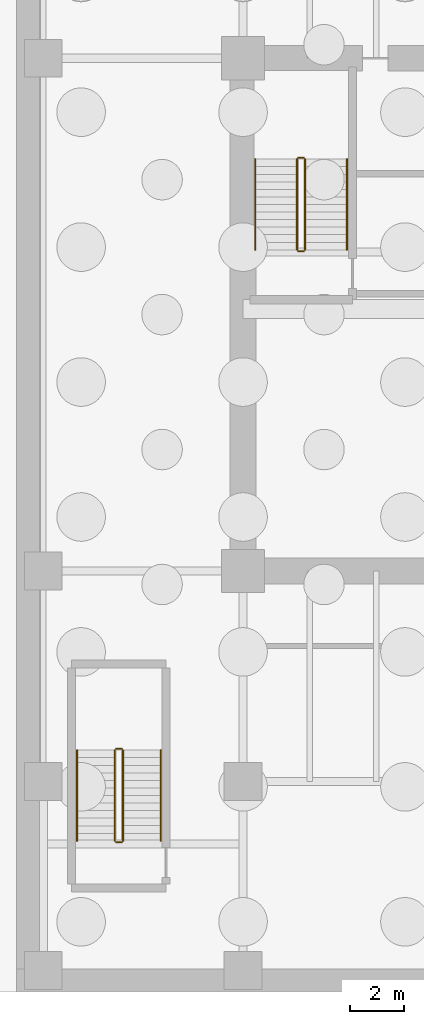
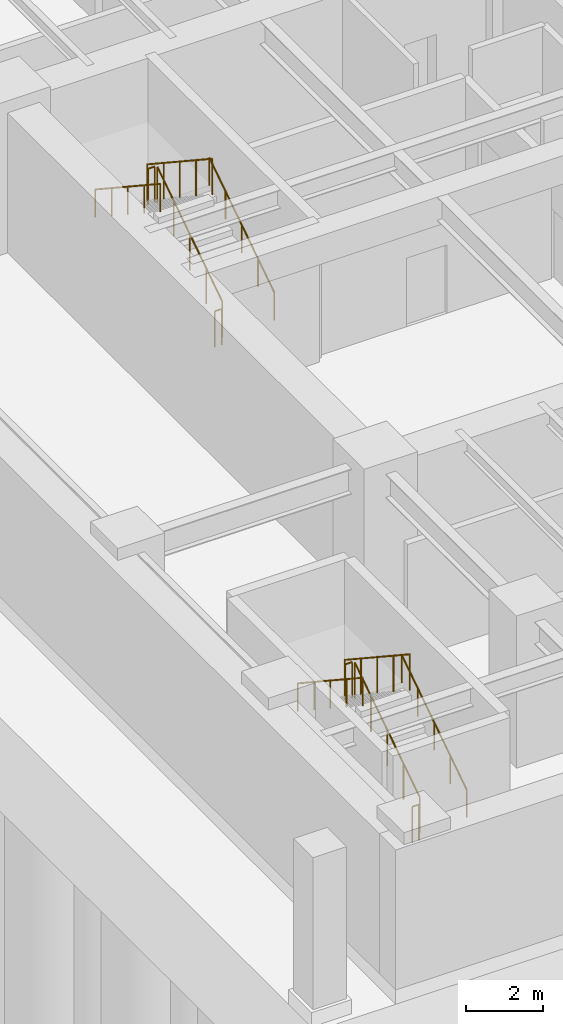
# One storey, part 6 of 8: 12 railings.
"""IFC4 building model written with IfcOpenShell, lengths in metres."""

from ifc_helpers import new_model, si_unit, direction, frame, origin, origin_2d, place, context, subcontext, project, spatial, circle, extrude, source, transform, mapped, material, type_object, type_shapes, element, save


model = new_model("IFC4")

# Units and contexts
model_context = context("Model", 3, precision=1e-05, world=origin(), true_north=direction((0.0, 1.0)))
body_context = subcontext(model_context, "Body", "Model", "MODEL_VIEW")
ifc_project = project(units=[si_unit("LENGTHUNIT", "METRE"), si_unit("AREAUNIT", "SQUARE_METRE"), si_unit("VOLUMEUNIT", "CUBIC_METRE"), si_unit("PLANEANGLEUNIT", "RADIAN"), si_unit("MASSUNIT", "GRAM", prefix="KILO")], contexts=[model_context])

# Site, building, storey
site_placement = place(None, origin())
site = spatial("IfcSite", under=ifc_project, at=site_placement, CompositionType="ELEMENT")
building_placement = place(site_placement, origin())
building = spatial("IfcBuilding", under=site, at=building_placement, Name="Haelvirn Gate Laboratories", CompositionType="ELEMENT")
storey_placement = place(building_placement, frame((0.0, 0.0, -14.39990234375)))
storey = spatial("IfcBuildingStorey", under=building, at=storey_placement, Name="B3", CompositionType="ELEMENT", Elevation=-14.39990234375)

# Railings
ifc_material_1 = material(Name="Galvanised steel SM355 & stainless top rail", Category="steel")
railing_type_1 = type_object("IfcRailingType", Name="RL-GUARD-1150", PredefinedType="GUARDRAIL", material=ifc_material_1)
shared_shape_1 = source(origin(), body_context, "Body", "SweptSolid", [
    extrude(circle(Radius=0.02392578125, at=origin_2d()), frame((0.0, 0.0, 1.1259765625), z_axis=(0.0, 0.834876476806, 0.550437342915), x_axis=(-1.0, 0.0, 0.0)), (0.0, 0.0, 1.0), 4.024658203125),
    extrude(circle(Radius=0.02099609375, at=origin_2d()), origin(), (0.0, 0.0, 1.0), 1.101806640625),
    extrude(circle(Radius=0.02099609375, at=origin_2d()), frame((0.0, 0.840087890625, 0.5537109375)), (0.0, 0.0, 1.0), 1.101806640625),
    extrude(circle(Radius=0.02099609375, at=origin_2d()), frame((0.0, 1.68017578125, 1.107666015625)), (0.0, 0.0, 1.0), 1.101806640625),
    extrude(circle(Radius=0.02099609375, at=origin_2d()), frame((0.0, 2.52001953125, 1.66162109375)), (0.0, 0.0, 1.0), 1.101806640625),
    extrude(circle(Radius=0.02099609375, at=origin_2d()), frame((0.0, 3.360107421875, 2.21533203125)), (0.0, 0.0, 1.0), 1.101806640625),
])
railing_1_placement = place(storey_placement, frame((9.699951171875, 26.699951171875, 0.1845703125)))
element("IfcRailing", 1, at=railing_1_placement, inside=storey, type_object=railing_type_1, Name="B3 ST1 stair guard 1", PredefinedType="GUARDRAIL", context=body_context, shape_type="MappedRepresentation", body=[
    mapped(shared_shape_1, transform((0.0, 0.0, 0.0), scale=1.0)),
])
shared_shape_2 = source(origin(), body_context, "Body", "SweptSolid", [
    extrude(circle(Radius=0.02392578125, at=origin_2d()), frame((0.0, 0.0, 1.1259765625), z_axis=(-1.0, 0.0, 0.0), x_axis=(0.0, -1.0, 0.0)), (0.0, 0.0, 1.0), 0.199951171875),
    extrude(circle(Radius=0.02099609375, at=origin_2d()), origin(), (0.0, 0.0, 1.0), 1.101806640625),
    extrude(circle(Radius=0.02099609375, at=origin_2d()), frame((-0.199951171875, 0.0, 0.0)), (0.0, 0.0, 1.0), 1.101806640625),
])
for number, where, name in (
    (2, (9.64990234375, 30.110107421875, 2.39990234375), "B3 ST1 stair guard 2"),
    (3, (9.64990234375, 26.64990234375, 0.0), "B3 ST1 stair guard 4"),
    (4, (2.89990234375, 8.2099609375, 2.39990234375), "B3 ST3 stair guard 2"),
    (5, (2.89990234375, 4.75, 0.0), "B3 ST3 stair guard 4"),
):
    element("IfcRailing", number, at=place(storey_placement, frame(where)), inside=storey, type_object=railing_type_1, Name=name, PredefinedType="GUARDRAIL", context=body_context, shape_type="MappedRepresentation", body=[
        mapped(shared_shape_2, transform((0.0, 0.0, 0.0), scale=1.0)),
    ])
shared_shape_3 = source(origin(), body_context, "Body", "SweptSolid", [
    extrude(circle(Radius=0.02392578125, at=origin_2d()), frame((0.0, 0.0, 1.1259765625), z_axis=(0.0, -0.834876476806, 0.550437342915), x_axis=(1.0, 0.0, 0.0)), (0.0, 0.0, 1.0), 4.024658203125),
    extrude(circle(Radius=0.02099609375, at=origin_2d()), origin(), (0.0, 0.0, 1.0), 1.101806640625),
    extrude(circle(Radius=0.02099609375, at=origin_2d()), frame((0.0, -0.840087890625, 0.5537109375)), (0.0, 0.0, 1.0), 1.101806640625),
    extrude(circle(Radius=0.02099609375, at=origin_2d()), frame((0.0, -1.68017578125, 1.107666015625)), (0.0, 0.0, 1.0), 1.101806640625),
    extrude(circle(Radius=0.02099609375, at=origin_2d()), frame((0.0, -2.52001953125, 1.66162109375)), (0.0, 0.0, 1.0), 1.101806640625),
    extrude(circle(Radius=0.02099609375, at=origin_2d()), frame((0.0, -3.360107421875, 2.21533203125)), (0.0, 0.0, 1.0), 1.101806640625),
])
railing_2_placement = place(storey_placement, frame((9.39990234375, 30.06005859375, 2.58447265625)))
element("IfcRailing", 6, at=railing_2_placement, inside=storey, type_object=railing_type_1, Name="B3 ST1 stair guard 3", PredefinedType="GUARDRAIL", context=body_context, shape_type="MappedRepresentation", body=[
    mapped(shared_shape_3, transform((0.0, 0.0, 0.0), scale=1.0)),
])
ifc_material_2 = material(Name="Brushed stainless steel 316L", Category="steel")
railing_type_2 = type_object("IfcRailingType", Name="RL-HAND-920", PredefinedType="HANDRAIL", material=ifc_material_2)
shared_shape_4 = source(origin(), body_context, "Body", "SweptSolid", [
    extrude(circle(Radius=0.02392578125, at=origin_2d()), frame((0.0, 0.0, 0.8759765625), z_axis=(0.0, 0.834876476806, 0.550437342915), x_axis=(-1.0, 0.0, 0.0)), (0.0, 0.0, 1.0), 4.024658203125),
    extrude(circle(Radius=0.02099609375, at=origin_2d()), origin(), (0.0, 0.0, 1.0), 0.851806640625),
    extrude(circle(Radius=0.02099609375, at=origin_2d()), frame((0.0, 0.840087890625, 0.5537109375)), (0.0, 0.0, 1.0), 0.851806640625),
    extrude(circle(Radius=0.02099609375, at=origin_2d()), frame((0.0, 1.68017578125, 1.107666015625)), (0.0, 0.0, 1.0), 0.851806640625),
    extrude(circle(Radius=0.02099609375, at=origin_2d()), frame((0.0, 2.52001953125, 1.66162109375)), (0.0, 0.0, 1.0), 0.851806640625),
    extrude(circle(Radius=0.02099609375, at=origin_2d()), frame((0.0, 3.360107421875, 2.21533203125)), (0.0, 0.0, 1.0), 0.851806640625),
])
railing_3_placement = place(storey_placement, frame((11.25, 26.699951171875, 0.1845703125)))
element("IfcRailing", 7, at=railing_3_placement, inside=storey, type_object=railing_type_2, Name="B3 ST1 stair handrail 1", PredefinedType="HANDRAIL", context=body_context, shape_type="MappedRepresentation", body=[
    mapped(shared_shape_4, transform((0.0, 0.0, 0.0), scale=1.0)),
])
shared_shape_5 = source(origin(), body_context, "Body", "SweptSolid", [
    extrude(circle(Radius=0.02392578125, at=origin_2d()), frame((0.0, 0.0, 0.8759765625), z_axis=(0.0, -0.834876476806, 0.550437342915), x_axis=(1.0, 0.0, 0.0)), (0.0, 0.0, 1.0), 4.024658203125),
    extrude(circle(Radius=0.02099609375, at=origin_2d()), origin(), (0.0, 0.0, 1.0), 0.851806640625),
    extrude(circle(Radius=0.02099609375, at=origin_2d()), frame((0.0, -0.840087890625, 0.5537109375)), (0.0, 0.0, 1.0), 0.851806640625),
    extrude(circle(Radius=0.02099609375, at=origin_2d()), frame((0.0, -1.68017578125, 1.107666015625)), (0.0, 0.0, 1.0), 0.851806640625),
    extrude(circle(Radius=0.02099609375, at=origin_2d()), frame((0.0, -2.52001953125, 1.66162109375)), (0.0, 0.0, 1.0), 0.851806640625),
    extrude(circle(Radius=0.02099609375, at=origin_2d()), frame((0.0, -3.360107421875, 2.21533203125)), (0.0, 0.0, 1.0), 0.851806640625),
])
railing_4_placement = place(storey_placement, frame((7.85009765625, 30.06005859375, 2.58447265625)))
element("IfcRailing", 8, at=railing_4_placement, inside=storey, type_object=railing_type_2, Name="B3 ST1 stair handrail 2", PredefinedType="HANDRAIL", context=body_context, shape_type="MappedRepresentation", body=[
    mapped(shared_shape_5, transform((0.0, 0.0, 0.0), scale=1.0)),
])
shared_shape_6 = source(origin(), body_context, "Body", "SweptSolid", [
    extrude(circle(Radius=0.02392578125, at=origin_2d()), frame((0.0, 0.0, 1.1259765625), z_axis=(0.0, 0.834858096282, 0.550465220583), x_axis=(-1.0, 0.0, 0.0)), (0.0, 0.0, 1.0), 4.0244140625),
    extrude(circle(Radius=0.02099609375, at=origin_2d()), origin(), (0.0, 0.0, 1.0), 1.101806640625),
    extrude(circle(Radius=0.02099609375, at=origin_2d()), frame((0.0, 0.83984375, 0.5537109375)), (0.0, 0.0, 1.0), 1.101806640625),
    extrude(circle(Radius=0.02099609375, at=origin_2d()), frame((0.0, 1.679931640625, 1.107666015625)), (0.0, 0.0, 1.0), 1.101806640625),
    extrude(circle(Radius=0.02099609375, at=origin_2d()), frame((0.0, 2.52001953125, 1.66162109375)), (0.0, 0.0, 1.0), 1.101806640625),
    extrude(circle(Radius=0.02099609375, at=origin_2d()), frame((0.0, 3.35986328125, 2.21533203125)), (0.0, 0.0, 1.0), 1.101806640625),
])
railing_5_placement = place(storey_placement, frame((2.949951171875, 4.800048828125, 0.1845703125)))
element("IfcRailing", 9, at=railing_5_placement, inside=storey, type_object=railing_type_1, Name="B3 ST3 stair guard 1", PredefinedType="GUARDRAIL", context=body_context, shape_type="MappedRepresentation", body=[
    mapped(shared_shape_6, transform((0.0, 0.0, 0.0), scale=1.0)),
])
shared_shape_7 = source(origin(), body_context, "Body", "SweptSolid", [
    extrude(circle(Radius=0.02392578125, at=origin_2d()), frame((0.0, 0.0, 1.1259765625), z_axis=(0.0, -0.834858096282, 0.550465220583), x_axis=(1.0, 0.0, 0.0)), (0.0, 0.0, 1.0), 4.0244140625),
    extrude(circle(Radius=0.02099609375, at=origin_2d()), origin(), (0.0, 0.0, 1.0), 1.101806640625),
    extrude(circle(Radius=0.02099609375, at=origin_2d()), frame((0.0, -0.83984375, 0.5537109375)), (0.0, 0.0, 1.0), 1.101806640625),
    extrude(circle(Radius=0.02099609375, at=origin_2d()), frame((0.0, -1.679931640625, 1.107666015625)), (0.0, 0.0, 1.0), 1.101806640625),
    extrude(circle(Radius=0.02099609375, at=origin_2d()), frame((0.0, -2.52001953125, 1.66162109375)), (0.0, 0.0, 1.0), 1.101806640625),
    extrude(circle(Radius=0.02099609375, at=origin_2d()), frame((0.0, -3.35986328125, 2.21533203125)), (0.0, 0.0, 1.0), 1.101806640625),
])
type_shapes(railing_type_1, [shared_shape_1, shared_shape_2, shared_shape_3, shared_shape_6, shared_shape_7])
railing_6_placement = place(storey_placement, frame((2.64990234375, 8.159912109375, 2.58447265625)))
element("IfcRailing", 10, at=railing_6_placement, inside=storey, type_object=railing_type_1, Name="B3 ST3 stair guard 3", PredefinedType="GUARDRAIL", context=body_context, shape_type="MappedRepresentation", body=[
    mapped(shared_shape_7, transform((0.0, 0.0, 0.0), scale=1.0)),
])
shared_shape_8 = source(origin(), body_context, "Body", "SweptSolid", [
    extrude(circle(Radius=0.02392578125, at=origin_2d()), frame((0.0, 0.0, 0.8759765625), z_axis=(0.0, 0.834858096282, 0.550465220583), x_axis=(-1.0, 0.0, 0.0)), (0.0, 0.0, 1.0), 4.0244140625),
    extrude(circle(Radius=0.02099609375, at=origin_2d()), origin(), (0.0, 0.0, 1.0), 0.851806640625),
    extrude(circle(Radius=0.02099609375, at=origin_2d()), frame((0.0, 0.83984375, 0.5537109375)), (0.0, 0.0, 1.0), 0.851806640625),
    extrude(circle(Radius=0.02099609375, at=origin_2d()), frame((0.0, 1.679931640625, 1.107666015625)), (0.0, 0.0, 1.0), 0.851806640625),
    extrude(circle(Radius=0.02099609375, at=origin_2d()), frame((0.0, 2.52001953125, 1.66162109375)), (0.0, 0.0, 1.0), 0.851806640625),
    extrude(circle(Radius=0.02099609375, at=origin_2d()), frame((0.0, 3.35986328125, 2.21533203125)), (0.0, 0.0, 1.0), 0.851806640625),
])
railing_7_placement = place(storey_placement, frame((4.35009765625, 4.800048828125, 0.1845703125)))
element("IfcRailing", 11, at=railing_7_placement, inside=storey, type_object=railing_type_2, Name="B3 ST3 stair handrail 1", PredefinedType="HANDRAIL", context=body_context, shape_type="MappedRepresentation", body=[
    mapped(shared_shape_8, transform((0.0, 0.0, 0.0), scale=1.0)),
])
shared_shape_9 = source(origin(), body_context, "Body", "SweptSolid", [
    extrude(circle(Radius=0.02392578125, at=origin_2d()), frame((0.0, 0.0, 0.8759765625), z_axis=(0.0, -0.834858096282, 0.550465220583), x_axis=(1.0, 0.0, 0.0)), (0.0, 0.0, 1.0), 4.0244140625),
    extrude(circle(Radius=0.02099609375, at=origin_2d()), origin(), (0.0, 0.0, 1.0), 0.851806640625),
    extrude(circle(Radius=0.02099609375, at=origin_2d()), frame((0.0, -0.83984375, 0.5537109375)), (0.0, 0.0, 1.0), 0.851806640625),
    extrude(circle(Radius=0.02099609375, at=origin_2d()), frame((0.0, -1.679931640625, 1.107666015625)), (0.0, 0.0, 1.0), 0.851806640625),
    extrude(circle(Radius=0.02099609375, at=origin_2d()), frame((0.0, -2.52001953125, 1.66162109375)), (0.0, 0.0, 1.0), 0.851806640625),
    extrude(circle(Radius=0.02099609375, at=origin_2d()), frame((0.0, -3.35986328125, 2.21533203125)), (0.0, 0.0, 1.0), 0.851806640625),
])
type_shapes(railing_type_2, [shared_shape_4, shared_shape_5, shared_shape_8, shared_shape_9])
railing_8_placement = place(storey_placement, frame((1.25, 8.159912109375, 2.58447265625)))
element("IfcRailing", 12, at=railing_8_placement, inside=storey, type_object=railing_type_2, Name="B3 ST3 stair handrail 2", PredefinedType="HANDRAIL", context=body_context, shape_type="MappedRepresentation", body=[
    mapped(shared_shape_9, transform((0.0, 0.0, 0.0), scale=1.0)),
])

save(model, "model.ifc")
